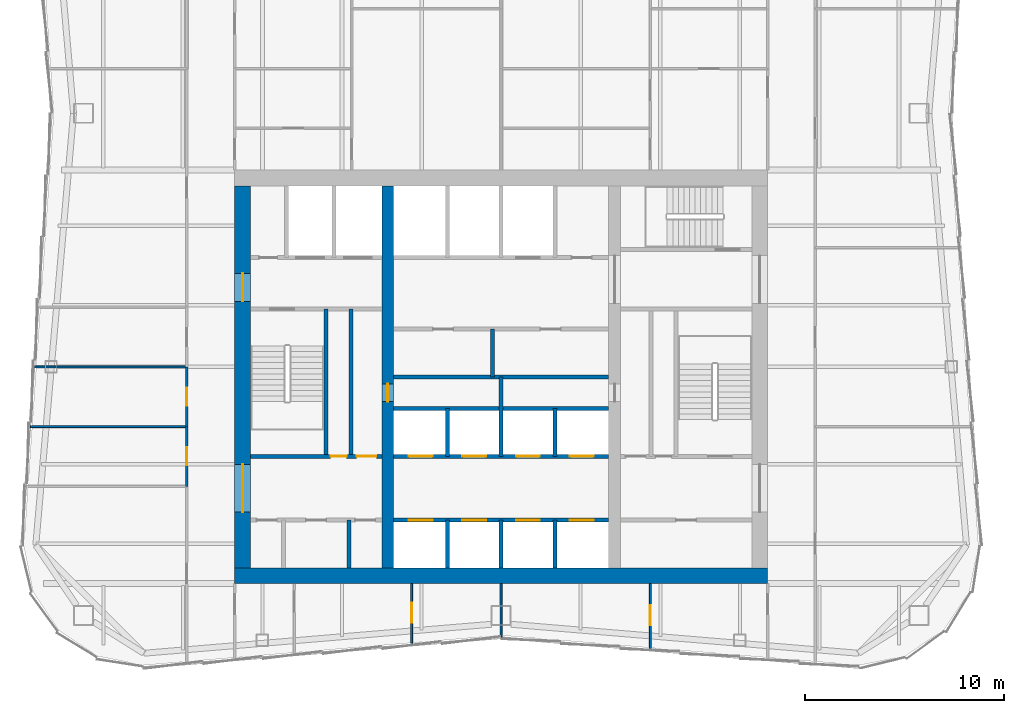
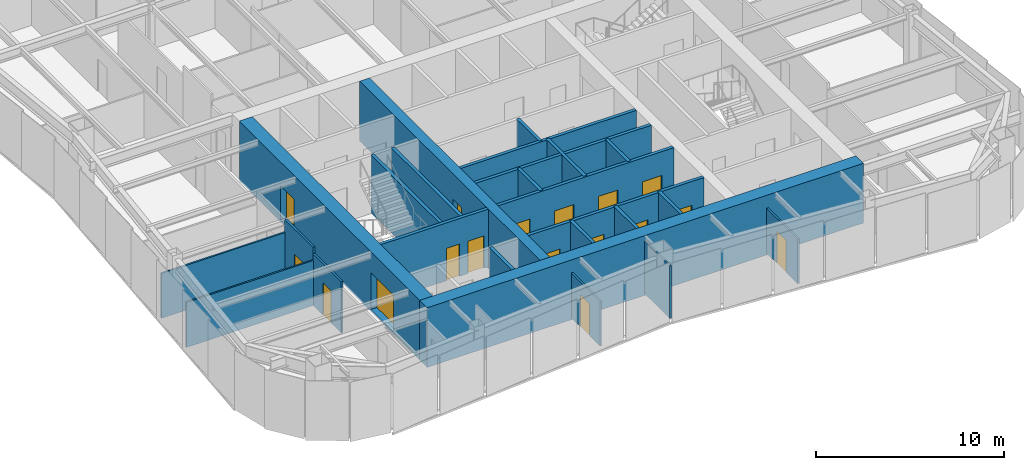
# One storey, part 6 of 12: 25 walls, 17 doors, 17 openings.
"""IFC4 building model written with IfcOpenShell, lengths in metres."""

from ifc_helpers import new_model, si_unit, direction, frame, frame_2d, origin, place, context, subcontext, project, spatial, rectangle, extrude, material, layer, layer_set, type_object, element, fill, save


model = new_model("IFC4")

# Units and contexts
model_context = context("Model", 3, precision=1e-05, world=origin(), true_north=direction((0.0, 1.0)))
body_context = subcontext(model_context, "Body", "Model", "MODEL_VIEW")
ifc_project = project(units=[si_unit("LENGTHUNIT", "METRE"), si_unit("AREAUNIT", "SQUARE_METRE"), si_unit("VOLUMEUNIT", "CUBIC_METRE"), si_unit("PLANEANGLEUNIT", "RADIAN"), si_unit("MASSUNIT", "GRAM", prefix="KILO")], contexts=[model_context])

# Site, building, storey
site_placement = place(None, origin())
site = spatial("IfcSite", under=ifc_project, at=site_placement, CompositionType="ELEMENT")
building_placement = place(site_placement, origin())
building = spatial("IfcBuilding", under=site, at=building_placement, Name="Verdant Reach Tower", CompositionType="ELEMENT")
storey_placement = place(building_placement, frame((0.0, 0.0, 278.0)))
storey = spatial("IfcBuildingStorey", under=building, at=storey_placement, Name="L64", CompositionType="ELEMENT", Elevation=278.0)

# Walls
ifc_material_1 = material(Name="Gypsum board on steel studs", Category="steel")
ifc_layer_1 = layer(ifc_material_1, 0.199951171875)
ifc_layer_set_1 = layer_set([ifc_layer_1], Name="CO-WALL-ROOM")
wall_type_1 = type_object("IfcWallType", Name="CO-WALL-ROOM", PredefinedType="PARTITIONING", material=ifc_layer_set_1)
wall_1_placement = place(storey_placement, frame((-5.39990234375, 28.0, 0.0), z_axis=(0.0, 0.0, 1.0), x_axis=(1.0, 0.0, 0.0)))
element("IfcWall", 1, at=wall_1_placement, inside=storey, type_object=wall_type_1, Name="Core partition, L64", PredefinedType="PARTITIONING", context=body_context, shape_type="SweptSolid", body=[
    extrude(rectangle(XDim=10.7998046875, YDim=0.199951171875, at=frame_2d((5.39990234375, 0.0))), origin(), (0.0, 0.0, 1.0), 3.75),
])
wall_2_placement = place(storey_placement, frame((-7.64990234375, 18.39990234375, 0.0), z_axis=(0.0, 0.0, 1.0), x_axis=(0.0, 1.0, 0.0)))
element("IfcWall", 2, at=wall_2_placement, inside=storey, type_object=wall_type_1, Name="Core partition, L64", PredefinedType="PARTITIONING", context=body_context, shape_type="SweptSolid", body=[
    extrude(rectangle(XDim=2.400146484375, YDim=0.199951171875, at=frame_2d((1.2001953125, 0.0))), origin(), (0.0, 0.0, 1.0), 3.75),
])
wall_3_placement = place(storey_placement, frame((-7.5400390625, 24.0, 0.0), z_axis=(0.0, 0.0, 1.0), x_axis=(0.0, 1.0, 0.0)))
element("IfcWall", 3, at=wall_3_placement, inside=storey, type_object=wall_type_1, Name="Core partition, L64", PredefinedType="PARTITIONING", context=body_context, shape_type="SweptSolid", body=[
    extrude(rectangle(XDim=7.39990234375, YDim=0.199951171875, at=frame_2d((3.699951171875, 0.0))), origin(), (0.0, 0.0, 1.0), 3.75),
])
wall_4_placement = place(storey_placement, frame((-0.431884765625, 28.0, 0.0), z_axis=(0.0, 0.0, 1.0), x_axis=(0.0, 1.0, 0.0)))
element("IfcWall", 4, at=wall_4_placement, inside=storey, type_object=wall_type_1, Name="Core partition, L64", PredefinedType="PARTITIONING", context=body_context, shape_type="SweptSolid", body=[
    extrude(rectangle(XDim=2.39990234375, YDim=0.199951171875, at=frame_2d((1.199951171875, 0.0))), origin(), (0.0, 0.0, 1.0), 3.75),
])

# Wall, openings, doors
ifc_material_2 = material(Name="Concrete C40/50", Category="concrete")
ifc_layer_2 = layer(ifc_material_2, 0.199951171875)
ifc_layer_set_2 = layer_set([ifc_layer_2], Name="CO-WALL-SHAFT")
wall_type_2 = type_object("IfcWallType", Name="CO-WALL-SHAFT", PredefinedType="PARTITIONING", material=ifc_layer_set_2)
wall_5_placement = place(storey_placement, frame((-5.39990234375, 20.800048828125, 0.0), z_axis=(0.0, 0.0, 1.0), x_axis=(1.0, 0.0, 0.0)))
wall_5 = element("IfcWall", 5, at=wall_5_placement, inside=storey, type_object=wall_type_2, Name="Lift shaft wall, L64", PredefinedType="PARTITIONING", context=body_context, shape_type="SweptSolid", body=[
    extrude(rectangle(XDim=10.7998046875, YDim=0.199951171875, at=frame_2d((5.39990234375, 0.0))), origin(), (0.0, 0.0, 1.0), 3.75),
])
opening_1_placement = place(wall_5_placement, frame((0.75, 0.0, 0.0)))
opening_1 = element("IfcOpeningElement", 6, at=opening_1_placement, cuts=wall_5, Name="Opening LD-B1", PredefinedType="OPENING", context=body_context, shape_type="SweptSolid", body=[
    extrude(rectangle(XDim=1.199951171875, YDim=2.199951171875, at=frame_2d((0.60009765625, 1.10009765625))), frame((0.0, 0.10986328125, 0.0), z_axis=(0.0, -1.0, 0.0), x_axis=(1.0, 0.0, 0.0)), (0.0, 0.0, 1.0), 0.219970703125),
])
opening_2_placement = place(wall_5_placement, frame((3.449951171875, 0.0, 0.0)))
opening_2 = element("IfcOpeningElement", 7, at=opening_2_placement, cuts=wall_5, Name="Opening LD-B2", PredefinedType="OPENING", context=body_context, shape_type="SweptSolid", body=[
    extrude(rectangle(XDim=1.199951171875, YDim=2.199951171875, at=frame_2d((0.60009765625, 1.10009765625))), frame((0.0, 0.10986328125, 0.0), z_axis=(0.0, -1.0, 0.0), x_axis=(1.0, 0.0, 0.0)), (0.0, 0.0, 1.0), 0.219970703125),
])
opening_3_placement = place(wall_5_placement, frame((6.14990234375, 0.0, 0.0)))
opening_3 = element("IfcOpeningElement", 8, at=opening_3_placement, cuts=wall_5, Name="Opening LD-B3", PredefinedType="OPENING", context=body_context, shape_type="SweptSolid", body=[
    extrude(rectangle(XDim=1.199951171875, YDim=2.199951171875, at=frame_2d((0.60009765625, 1.10009765625))), frame((0.0, 0.10986328125, 0.0), z_axis=(0.0, -1.0, 0.0), x_axis=(1.0, 0.0, 0.0)), (0.0, 0.0, 1.0), 0.219970703125),
])
opening_4_placement = place(wall_5_placement, frame((8.85009765625, 0.0, 0.0)))
opening_4 = element("IfcOpeningElement", 9, at=opening_4_placement, cuts=wall_5, Name="Opening LD-B4", PredefinedType="OPENING", context=body_context, shape_type="SweptSolid", body=[
    extrude(rectangle(XDim=1.199951171875, YDim=2.199951171875, at=frame_2d((0.60009765625, 1.10009765625))), frame((0.0, 0.10986328125, 0.0), z_axis=(0.0, -1.0, 0.0), x_axis=(1.0, 0.0, 0.0)), (0.0, 0.0, 1.0), 0.219970703125),
])
ifc_material_3 = material(Name="Stainless steel", Category="steel")
door_type_1 = type_object("IfcDoorType", Name="CO-DOOR-LANDING", OperationType="SLIDING_TO_LEFT", PredefinedType="DOOR", material=ifc_material_3)
door_1_placement = place(opening_1_placement, origin())
door_1 = element("IfcDoor", 10, at=door_1_placement, inside=storey, type_object=door_type_1, Name="Landing door B1, L64", OperationType="SLIDING_TO_LEFT", OverallHeight=2.199951171875, OverallWidth=1.199951171875, PredefinedType="DOOR", context=body_context, shape_type="SweptSolid", body=[
    extrude(rectangle(XDim=1.199951171875, YDim=2.199951171875, at=frame_2d((0.60009765625, 1.10009765625))), frame((0.0, 0.02490234375, 0.0), z_axis=(0.0, -1.0, 0.0), x_axis=(1.0, 0.0, 0.0)), (0.0, 0.0, 1.0), 0.050048828125),
])
fill(opening_1, door_1)
door_2_placement = place(opening_2_placement, origin())
door_2 = element("IfcDoor", 11, at=door_2_placement, inside=storey, type_object=door_type_1, Name="Landing door B2, L64", OperationType="SLIDING_TO_LEFT", OverallHeight=2.199951171875, OverallWidth=1.199951171875, PredefinedType="DOOR", context=body_context, shape_type="SweptSolid", body=[
    extrude(rectangle(XDim=1.199951171875, YDim=2.199951171875, at=frame_2d((0.60009765625, 1.10009765625))), frame((0.0, 0.02490234375, 0.0), z_axis=(0.0, -1.0, 0.0), x_axis=(1.0, 0.0, 0.0)), (0.0, 0.0, 1.0), 0.050048828125),
])
fill(opening_2, door_2)
door_3_placement = place(opening_3_placement, origin())
door_3 = element("IfcDoor", 12, at=door_3_placement, inside=storey, type_object=door_type_1, Name="Landing door B3, L64", OperationType="SLIDING_TO_LEFT", OverallHeight=2.199951171875, OverallWidth=1.199951171875, PredefinedType="DOOR", context=body_context, shape_type="SweptSolid", body=[
    extrude(rectangle(XDim=1.199951171875, YDim=2.199951171875, at=frame_2d((0.60009765625, 1.10009765625))), frame((0.0, 0.02490234375, 0.0), z_axis=(0.0, -1.0, 0.0), x_axis=(1.0, 0.0, 0.0)), (0.0, 0.0, 1.0), 0.050048828125),
])
fill(opening_3, door_3)
door_4_placement = place(opening_4_placement, origin())
door_4 = element("IfcDoor", 13, at=door_4_placement, inside=storey, type_object=door_type_1, Name="Landing door B4, L64", OperationType="SLIDING_TO_LEFT", OverallHeight=2.199951171875, OverallWidth=1.199951171875, PredefinedType="DOOR", context=body_context, shape_type="SweptSolid", body=[
    extrude(rectangle(XDim=1.199951171875, YDim=2.199951171875, at=frame_2d((0.60009765625, 1.10009765625))), frame((0.0, 0.02490234375, 0.0), z_axis=(0.0, -1.0, 0.0), x_axis=(1.0, 0.0, 0.0)), (0.0, 0.0, 1.0), 0.050048828125),
])
fill(opening_4, door_4)

wall_6_placement = place(storey_placement, frame((-5.39990234375, 24.0, 0.0), z_axis=(0.0, 0.0, 1.0), x_axis=(1.0, 0.0, 0.0)))
wall_6 = element("IfcWall", 14, at=wall_6_placement, inside=storey, type_object=wall_type_2, Name="Lift shaft wall, L64", PredefinedType="PARTITIONING", context=body_context, shape_type="SweptSolid", body=[
    extrude(rectangle(XDim=10.7998046875, YDim=0.199951171875, at=frame_2d((5.39990234375, 0.0))), origin(), (0.0, 0.0, 1.0), 3.75),
])
opening_5_placement = place(wall_6_placement, frame((0.75, 0.0, 0.0)))
opening_5 = element("IfcOpeningElement", 15, at=opening_5_placement, cuts=wall_6, Name="Opening LD-A5", PredefinedType="OPENING", context=body_context, shape_type="SweptSolid", body=[
    extrude(rectangle(XDim=1.199951171875, YDim=2.199951171875, at=frame_2d((0.60009765625, 1.10009765625))), frame((0.0, 0.10986328125, 0.0), z_axis=(0.0, -1.0, 0.0), x_axis=(1.0, 0.0, 0.0)), (0.0, 0.0, 1.0), 0.219970703125),
])
opening_6_placement = place(wall_6_placement, frame((3.449951171875, 0.0, 0.0)))
opening_6 = element("IfcOpeningElement", 16, at=opening_6_placement, cuts=wall_6, Name="Opening LD-A6", PredefinedType="OPENING", context=body_context, shape_type="SweptSolid", body=[
    extrude(rectangle(XDim=1.199951171875, YDim=2.199951171875, at=frame_2d((0.60009765625, 1.10009765625))), frame((0.0, 0.10986328125, 0.0), z_axis=(0.0, -1.0, 0.0), x_axis=(1.0, 0.0, 0.0)), (0.0, 0.0, 1.0), 0.219970703125),
])
opening_7_placement = place(wall_6_placement, frame((6.14990234375, 0.0, 0.0)))
opening_7 = element("IfcOpeningElement", 17, at=opening_7_placement, cuts=wall_6, Name="Opening LD-A7", PredefinedType="OPENING", context=body_context, shape_type="SweptSolid", body=[
    extrude(rectangle(XDim=1.199951171875, YDim=2.199951171875, at=frame_2d((0.60009765625, 1.10009765625))), frame((0.0, 0.10986328125, 0.0), z_axis=(0.0, -1.0, 0.0), x_axis=(1.0, 0.0, 0.0)), (0.0, 0.0, 1.0), 0.219970703125),
])
opening_8_placement = place(wall_6_placement, frame((8.85009765625, 0.0, 0.0)))
opening_8 = element("IfcOpeningElement", 18, at=opening_8_placement, cuts=wall_6, Name="Opening LD-A8", PredefinedType="OPENING", context=body_context, shape_type="SweptSolid", body=[
    extrude(rectangle(XDim=1.199951171875, YDim=2.199951171875, at=frame_2d((0.60009765625, 1.10009765625))), frame((0.0, 0.10986328125, 0.0), z_axis=(0.0, -1.0, 0.0), x_axis=(1.0, 0.0, 0.0)), (0.0, 0.0, 1.0), 0.219970703125),
])
door_5_placement = place(opening_5_placement, origin())
door_5 = element("IfcDoor", 19, at=door_5_placement, inside=storey, type_object=door_type_1, Name="Landing door A5, L64", OperationType="SLIDING_TO_LEFT", OverallHeight=2.199951171875, OverallWidth=1.199951171875, PredefinedType="DOOR", context=body_context, shape_type="SweptSolid", body=[
    extrude(rectangle(XDim=1.199951171875, YDim=2.199951171875, at=frame_2d((0.60009765625, 1.10009765625))), frame((0.0, 0.02490234375, 0.0), z_axis=(0.0, -1.0, 0.0), x_axis=(1.0, 0.0, 0.0)), (0.0, 0.0, 1.0), 0.050048828125),
])
fill(opening_5, door_5)
door_6_placement = place(opening_6_placement, origin())
door_6 = element("IfcDoor", 20, at=door_6_placement, inside=storey, type_object=door_type_1, Name="Landing door A6, L64", OperationType="SLIDING_TO_LEFT", OverallHeight=2.199951171875, OverallWidth=1.199951171875, PredefinedType="DOOR", context=body_context, shape_type="SweptSolid", body=[
    extrude(rectangle(XDim=1.199951171875, YDim=2.199951171875, at=frame_2d((0.60009765625, 1.10009765625))), frame((0.0, 0.02490234375, 0.0), z_axis=(0.0, -1.0, 0.0), x_axis=(1.0, 0.0, 0.0)), (0.0, 0.0, 1.0), 0.050048828125),
])
fill(opening_6, door_6)
door_7_placement = place(opening_7_placement, origin())
door_7 = element("IfcDoor", 21, at=door_7_placement, inside=storey, type_object=door_type_1, Name="Landing door A7, L64", OperationType="SLIDING_TO_LEFT", OverallHeight=2.199951171875, OverallWidth=1.199951171875, PredefinedType="DOOR", context=body_context, shape_type="SweptSolid", body=[
    extrude(rectangle(XDim=1.199951171875, YDim=2.199951171875, at=frame_2d((0.60009765625, 1.10009765625))), frame((0.0, 0.02490234375, 0.0), z_axis=(0.0, -1.0, 0.0), x_axis=(1.0, 0.0, 0.0)), (0.0, 0.0, 1.0), 0.050048828125),
])
fill(opening_7, door_7)
door_8_placement = place(opening_8_placement, origin())
door_8 = element("IfcDoor", 22, at=door_8_placement, inside=storey, type_object=door_type_1, Name="Landing door A8, L64", OperationType="SLIDING_TO_LEFT", OverallHeight=2.199951171875, OverallWidth=1.199951171875, PredefinedType="DOOR", context=body_context, shape_type="SweptSolid", body=[
    extrude(rectangle(XDim=1.199951171875, YDim=2.199951171875, at=frame_2d((0.60009765625, 1.10009765625))), frame((0.0, 0.02490234375, 0.0), z_axis=(0.0, -1.0, 0.0), x_axis=(1.0, 0.0, 0.0)), (0.0, 0.0, 1.0), 0.050048828125),
])
fill(opening_8, door_8)

# Walls
wall_7_placement = place(storey_placement, frame((-5.39990234375, 26.39990234375, 0.0), z_axis=(0.0, 0.0, 1.0), x_axis=(1.0, 0.0, 0.0)))
element("IfcWall", 23, at=wall_7_placement, inside=storey, type_object=wall_type_2, Name="Lift shaft wall, L64", PredefinedType="PARTITIONING", context=body_context, shape_type="SweptSolid", body=[
    extrude(rectangle(XDim=10.7998046875, YDim=0.199951171875, at=frame_2d((5.39990234375, 0.0))), origin(), (0.0, 0.0, 1.0), 3.75),
])
wall_8_placement = place(storey_placement, frame((-2.699951171875, 18.39990234375, 0.0), z_axis=(0.0, 0.0, 1.0), x_axis=(0.0, 1.0, 0.0)))
element("IfcWall", 24, at=wall_8_placement, inside=storey, type_object=wall_type_2, Name="Lift shaft wall, L64", PredefinedType="PARTITIONING", context=body_context, shape_type="SweptSolid", body=[
    extrude(rectangle(XDim=2.400146484375, YDim=0.199951171875, at=frame_2d((1.2001953125, 0.0))), origin(), (0.0, 0.0, 1.0), 3.75),
])
wall_9_placement = place(storey_placement, frame((-2.699951171875, 24.0, 0.0), z_axis=(0.0, 0.0, 1.0), x_axis=(0.0, 1.0, 0.0)))
element("IfcWall", 25, at=wall_9_placement, inside=storey, type_object=wall_type_2, Name="Lift shaft wall, L64", PredefinedType="PARTITIONING", context=body_context, shape_type="SweptSolid", body=[
    extrude(rectangle(XDim=2.39990234375, YDim=0.199951171875, at=frame_2d((1.199951171875, 0.0))), origin(), (0.0, 0.0, 1.0), 3.75),
])
wall_10_placement = place(storey_placement, frame((0.0, 18.39990234375, 0.0), z_axis=(0.0, 0.0, 1.0), x_axis=(0.0, 1.0, 0.0)))
element("IfcWall", 26, at=wall_10_placement, inside=storey, type_object=wall_type_2, Name="Lift shaft wall, L64", PredefinedType="PARTITIONING", context=body_context, shape_type="SweptSolid", body=[
    extrude(rectangle(XDim=2.400146484375, YDim=0.199951171875, at=frame_2d((1.2001953125, 0.0))), origin(), (0.0, 0.0, 1.0), 3.75),
])
wall_11_placement = place(storey_placement, frame((0.0, 24.0, 0.0), z_axis=(0.0, 0.0, 1.0), x_axis=(0.0, 1.0, 0.0)))
element("IfcWall", 27, at=wall_11_placement, inside=storey, type_object=wall_type_2, Name="Lift shaft wall, L64", PredefinedType="PARTITIONING", context=body_context, shape_type="SweptSolid", body=[
    extrude(rectangle(XDim=4.0, YDim=0.199951171875, at=frame_2d((2.0, 0.0))), origin(), (0.0, 0.0, 1.0), 3.75),
])
wall_12_placement = place(storey_placement, frame((2.699951171875, 18.39990234375, 0.0), z_axis=(0.0, 0.0, 1.0), x_axis=(0.0, 1.0, 0.0)))
element("IfcWall", 28, at=wall_12_placement, inside=storey, type_object=wall_type_2, Name="Lift shaft wall, L64", PredefinedType="PARTITIONING", context=body_context, shape_type="SweptSolid", body=[
    extrude(rectangle(XDim=2.400146484375, YDim=0.199951171875, at=frame_2d((1.2001953125, 0.0))), origin(), (0.0, 0.0, 1.0), 3.75),
])
wall_13_placement = place(storey_placement, frame((2.699951171875, 24.0, 0.0), z_axis=(0.0, 0.0, 1.0), x_axis=(0.0, 1.0, 0.0)))
element("IfcWall", 29, at=wall_13_placement, inside=storey, type_object=wall_type_2, Name="Lift shaft wall, L64", PredefinedType="PARTITIONING", context=body_context, shape_type="SweptSolid", body=[
    extrude(rectangle(XDim=2.39990234375, YDim=0.199951171875, at=frame_2d((1.199951171875, 0.0))), origin(), (0.0, 0.0, 1.0), 3.75),
])

# Wall, openings, doors
ifc_layer_3 = layer(ifc_material_2, 0.199951171875)
ifc_layer_set_3 = layer_set([ifc_layer_3], Name="CO-WALL-STAIR")
wall_type_3 = type_object("IfcWallType", Name="CO-WALL-STAIR", PredefinedType="PARTITIONING", material=ifc_layer_set_3)
wall_14_placement = place(storey_placement, frame((-12.60009765625, 24.0, 0.0), z_axis=(0.0, 0.0, 1.0), x_axis=(1.0, 0.0, 0.0)))
wall_14 = element("IfcWall", 30, at=wall_14_placement, inside=storey, type_object=wall_type_3, Name="Stair enclosure wall, L64", PredefinedType="PARTITIONING", context=body_context, shape_type="SweptSolid", body=[
    extrude(rectangle(XDim=6.60009765625, YDim=0.199951171875, at=frame_2d((3.300048828125, 0.0))), origin(), (0.0, 0.0, 1.0), 3.75),
])
opening_9_placement = place(wall_14_placement, frame((4.030029296875, 0.0, 0.0)))
opening_9 = element("IfcOpeningElement", 31, at=opening_9_placement, cuts=wall_14, Name="Opening CDN", PredefinedType="OPENING", context=body_context, shape_type="SweptSolid", body=[
    extrude(rectangle(XDim=0.800048828125, YDim=2.10009765625, at=frame_2d((0.39990234375, 1.050048828125))), frame((0.0, 0.10986328125, 0.0), z_axis=(0.0, -1.0, 0.0), x_axis=(1.0, 0.0, 0.0)), (0.0, 0.0, 1.0), 0.219970703125),
])
opening_10_placement = place(wall_14_placement, frame((5.330078125, 0.0, 0.0)))
opening_10 = element("IfcOpeningElement", 32, at=opening_10_placement, cuts=wall_14, Name="Opening CD", PredefinedType="OPENING", context=body_context, shape_type="SweptSolid", body=[
    extrude(rectangle(XDim=1.0, YDim=2.10009765625, at=frame_2d((0.5, 1.050048828125))), frame((0.0, 0.10986328125, 0.0), z_axis=(0.0, -1.0, 0.0), x_axis=(1.0, 0.0, 0.0)), (0.0, 0.0, 1.0), 0.219970703125),
])
ifc_material_4 = material(Name="Timber", Category="wood")
door_type_2 = type_object("IfcDoorType", Name="CO-DOOR-ROOM", OperationType="NOTDEFINED", PredefinedType="DOOR", material=ifc_material_4)
door_9_placement = place(opening_10_placement, origin())
door_9 = element("IfcDoor", 33, at=door_9_placement, inside=storey, type_object=door_type_2, Name="Core room door, L64", OperationType="SINGLE_SWING_LEFT", OverallHeight=2.10009765625, OverallWidth=1.0, PredefinedType="DOOR", context=body_context, shape_type="SweptSolid", body=[
    extrude(rectangle(XDim=1.0, YDim=2.10009765625, at=frame_2d((0.5, 1.050048828125))), frame((0.0, 0.02490234375, 0.0), z_axis=(0.0, -1.0, 0.0), x_axis=(1.0, 0.0, 0.0)), (0.0, 0.0, 1.0), 0.050048828125),
])
fill(opening_10, door_9)
door_type_3 = type_object("IfcDoorType", Name="CO-DOOR-ROOM-NARROW", OperationType="NOTDEFINED", PredefinedType="DOOR", material=ifc_material_4)
door_10_placement = place(opening_9_placement, origin())
door_10 = element("IfcDoor", 34, at=door_10_placement, inside=storey, type_object=door_type_3, Name="Core room door, L64", OperationType="SINGLE_SWING_RIGHT", OverallHeight=2.10009765625, OverallWidth=0.800048828125, PredefinedType="DOOR", context=body_context, shape_type="SweptSolid", body=[
    extrude(rectangle(XDim=0.800048828125, YDim=2.10009765625, at=frame_2d((0.39990234375, 1.050048828125))), frame((0.0, 0.02490234375, 0.0), z_axis=(0.0, -1.0, 0.0), x_axis=(1.0, 0.0, 0.0)), (0.0, 0.0, 1.0), 0.050048828125),
])
fill(opening_9, door_10)

# Walls
wall_15_placement = place(storey_placement, frame((-8.800048828125, 24.0, 0.0), z_axis=(0.0, 0.0, 1.0), x_axis=(0.0, 1.0, 0.0)))
element("IfcWall", 35, at=wall_15_placement, inside=storey, type_object=wall_type_3, Name="Stair enclosure wall, L64", PredefinedType="PARTITIONING", context=body_context, shape_type="SweptSolid", body=[
    extrude(rectangle(XDim=7.39990234375, YDim=0.199951171875, at=frame_2d((3.699951171875, 0.0))), origin(), (0.0, 0.0, 1.0), 3.75),
])
ifc_layer_4 = layer(ifc_material_1, 0.10009765625)
ifc_layer_set_4 = layer_set([ifc_layer_4], Name="FL-W1 Partition 100")
wall_type_4 = type_object("IfcWallType", Name="FL-W1 Partition 100", PredefinedType="PARTITIONING", material=ifc_layer_set_4)
wall_16_placement = place(storey_placement, frame((-15.800048828125, 25.5, 0.0), z_axis=(0.0, 0.0, 1.0), x_axis=(-1.0, 0.0, 0.0)))
element("IfcWall", 36, at=wall_16_placement, inside=storey, type_object=wall_type_4, Name="Partition 64.34", PredefinedType="PARTITIONING", context=body_context, shape_type="SweptSolid", body=[
    extrude(rectangle(XDim=7.8662109375, YDim=0.10009765625, at=frame_2d((3.93310546875, 0.0))), origin(), (0.0, 0.0, 1.0), 2.919921875),
])
wall_17_placement = place(storey_placement, frame((-15.800048828125, 28.5, 0.0), z_axis=(0.0, 0.0, 1.0), x_axis=(-1.0, 0.0, 0.0)))
element("IfcWall", 37, at=wall_17_placement, inside=storey, type_object=wall_type_4, Name="Partition 64.35", PredefinedType="PARTITIONING", context=body_context, shape_type="SweptSolid", body=[
    extrude(rectangle(XDim=7.6591796875, YDim=0.10009765625, at=frame_2d((3.82958984375, 0.0))), origin(), (0.0, 0.0, 1.0), 2.919921875),
])

# Wall, opening, door
wall_18_placement = place(storey_placement, frame((-4.5, 17.60009765625, 0.0), z_axis=(0.0, 0.0, 1.0), x_axis=(0.0, -1.0, 0.0)))
wall_18 = element("IfcWall", 38, at=wall_18_placement, inside=storey, type_object=wall_type_4, Name="Partition 64.44", PredefinedType="PARTITIONING", context=body_context, shape_type="SweptSolid", body=[
    extrude(rectangle(XDim=3.05517578125, YDim=0.10009765625, at=frame_2d((1.527587890625, 0.0))), origin(), (0.0, 0.0, 1.0), 2.919921875),
])
opening_11_placement = place(wall_18_placement, frame((0.96240234375, 0.0, 0.0)))
opening_11 = element("IfcOpeningElement", 39, at=opening_11_placement, cuts=wall_18, Name="Opening D3", PredefinedType="OPENING", context=body_context, shape_type="SweptSolid", body=[
    extrude(rectangle(XDim=1.0, YDim=2.10009765625, at=frame_2d((0.5, 1.050048828125))), frame((0.0, 0.06005859375, 0.0), z_axis=(0.0, -1.0, 0.0), x_axis=(1.0, 0.0, 0.0)), (0.0, 0.0, 1.0), 0.1201171875),
])
ifc_material_5 = material(Name="Painted timber door leaf", Category="wood")
door_type_4 = type_object("IfcDoorType", Name="FL-D3 Door 1000x2100", OperationType="NOTDEFINED", PredefinedType="DOOR", material=ifc_material_5)
door_11_placement = place(opening_11_placement, origin())
door_11 = element("IfcDoor", 40, at=door_11_placement, inside=storey, type_object=door_type_4, Name="Door 64-027", OperationType="SINGLE_SWING_LEFT", OverallHeight=2.10009765625, OverallWidth=1.0, PredefinedType="DOOR", context=body_context, shape_type="SweptSolid", body=[
    extrude(rectangle(XDim=1.0, YDim=2.10009765625, at=frame_2d((0.5, 1.050048828125))), frame((0.0, 0.02490234375, 0.0), z_axis=(0.0, -1.0, 0.0), x_axis=(1.0, 0.0, 0.0)), (0.0, 0.0, 1.0), 0.050048828125),
])
fill(opening_11, door_11)

# Wall
wall_19_placement = place(storey_placement, frame((0.0, 14.919921875, 0.0), z_axis=(0.0, 0.0, 1.0), x_axis=(0.0, 1.0, 0.0)))
element("IfcWall", 41, at=wall_19_placement, inside=storey, type_object=wall_type_4, Name="Partition 64.45", PredefinedType="PARTITIONING", context=body_context, shape_type="SweptSolid", body=[
    extrude(rectangle(XDim=2.68017578125, YDim=0.10009765625, at=frame_2d((1.340087890625, 0.0))), origin(), (0.0, 0.0, 1.0), 3.419921875),
])

# Wall, opening, door
wall_20_placement = place(storey_placement, frame((7.5, 14.294921875, 0.0), z_axis=(0.0, 0.0, 1.0), x_axis=(0.0, 1.0, 0.0)))
wall_20 = element("IfcWall", 42, at=wall_20_placement, inside=storey, type_object=wall_type_4, Name="Partition 64.46", PredefinedType="PARTITIONING", context=body_context, shape_type="SweptSolid", body=[
    extrude(rectangle(XDim=3.30517578125, YDim=0.10009765625, at=frame_2d((1.652587890625, 0.0))), origin(), (0.0, 0.0, 1.0), 2.919921875),
])
opening_12_placement = place(wall_20_placement, frame((1.217529296875, 0.0, 0.0)))
opening_12 = element("IfcOpeningElement", 43, at=opening_12_placement, cuts=wall_20, Name="Opening D3", PredefinedType="OPENING", context=body_context, shape_type="SweptSolid", body=[
    extrude(rectangle(XDim=1.0, YDim=2.10009765625, at=frame_2d((0.5, 1.050048828125))), frame((0.0, 0.06005859375, 0.0), z_axis=(0.0, -1.0, 0.0), x_axis=(1.0, 0.0, 0.0)), (0.0, 0.0, 1.0), 0.1201171875),
])
door_12_placement = place(opening_12_placement, origin())
door_12 = element("IfcDoor", 44, at=door_12_placement, inside=storey, type_object=door_type_4, Name="Door 64-028", OperationType="SINGLE_SWING_RIGHT", OverallHeight=2.10009765625, OverallWidth=1.0, PredefinedType="DOOR", context=body_context, shape_type="SweptSolid", body=[
    extrude(rectangle(XDim=1.0, YDim=2.10009765625, at=frame_2d((0.5, 1.050048828125))), frame((0.0, 0.02490234375, 0.0), z_axis=(0.0, -1.0, 0.0), x_axis=(1.0, 0.0, 0.0)), (0.0, 0.0, 1.0), 0.050048828125),
])
fill(opening_12, door_12)

ifc_material_6 = material(Name="Gypsum board on steel studs, fire rated", Category="steel")
ifc_layer_5 = layer(ifc_material_6, 0.125)
ifc_layer_set_5 = layer_set([ifc_layer_5], Name="FL-W2 Corridor wall 125")
wall_type_5 = type_object("IfcWallType", Name="FL-W2 Corridor wall 125", PredefinedType="PARTITIONING", material=ifc_layer_set_5)
wall_21_placement = place(storey_placement, frame((-15.800048828125, 22.5, 0.0), z_axis=(0.0, 0.0, 1.0), x_axis=(0.0, 1.0, 0.0)))
wall_21 = element("IfcWall", 45, at=wall_21_placement, inside=storey, type_object=wall_type_5, Name="Partition 64.02", PredefinedType="PARTITIONING", context=body_context, shape_type="SweptSolid", body=[
    extrude(rectangle(XDim=3.0, YDim=0.125, at=frame_2d((1.5, 0.0))), origin(), (0.0, 0.0, 1.0), 3.320068359375),
])
opening_13_placement = place(wall_21_placement, frame((1.050048828125, 0.0, 0.0)))
opening_13 = element("IfcOpeningElement", 46, at=opening_13_placement, cuts=wall_21, Name="Opening D1", PredefinedType="OPENING", context=body_context, shape_type="SweptSolid", body=[
    extrude(rectangle(XDim=0.89990234375, YDim=2.10009765625, at=frame_2d((0.449951171875, 1.050048828125))), frame((0.0, 0.072509765625, 0.0), z_axis=(0.0, -1.0, 0.0), x_axis=(1.0, 0.0, 0.0)), (0.0, 0.0, 1.0), 0.14501953125),
])
door_type_5 = type_object("IfcDoorType", Name="FL-D1 Door 900x2100", OperationType="NOTDEFINED", PredefinedType="DOOR", material=ifc_material_5)
door_13_placement = place(opening_13_placement, origin())
door_13 = element("IfcDoor", 47, at=door_13_placement, inside=storey, type_object=door_type_5, Name="Door 64-002", OperationType="SINGLE_SWING_RIGHT", OverallHeight=2.10009765625, OverallWidth=0.89990234375, PredefinedType="DOOR", context=body_context, shape_type="SweptSolid", body=[
    extrude(rectangle(XDim=0.89990234375, YDim=2.10009765625, at=frame_2d((0.449951171875, 1.050048828125))), frame((0.0, 0.02490234375, 0.0), z_axis=(0.0, -1.0, 0.0), x_axis=(1.0, 0.0, 0.0)), (0.0, 0.0, 1.0), 0.050048828125),
])
fill(opening_13, door_13)

wall_22_placement = place(storey_placement, frame((-15.800048828125, 25.5, 0.0), z_axis=(0.0, 0.0, 1.0), x_axis=(0.0, 1.0, 0.0)))
wall_22 = element("IfcWall", 48, at=wall_22_placement, inside=storey, type_object=wall_type_5, Name="Partition 64.03", PredefinedType="PARTITIONING", context=body_context, shape_type="SweptSolid", body=[
    extrude(rectangle(XDim=3.0, YDim=0.125, at=frame_2d((1.5, 0.0))), origin(), (0.0, 0.0, 1.0), 3.75),
])
opening_14_placement = place(wall_22_placement, frame((1.050048828125, 0.0, 0.0)))
opening_14 = element("IfcOpeningElement", 49, at=opening_14_placement, cuts=wall_22, Name="Opening D1", PredefinedType="OPENING", context=body_context, shape_type="SweptSolid", body=[
    extrude(rectangle(XDim=0.89990234375, YDim=2.10009765625, at=frame_2d((0.449951171875, 1.050048828125))), frame((0.0, 0.072509765625, 0.0), z_axis=(0.0, -1.0, 0.0), x_axis=(1.0, 0.0, 0.0)), (0.0, 0.0, 1.0), 0.14501953125),
])
door_14_placement = place(opening_14_placement, origin())
door_14 = element("IfcDoor", 50, at=door_14_placement, inside=storey, type_object=door_type_5, Name="Door 64-003", OperationType="SINGLE_SWING_LEFT", OverallHeight=2.10009765625, OverallWidth=0.89990234375, PredefinedType="DOOR", context=body_context, shape_type="SweptSolid", body=[
    extrude(rectangle(XDim=0.89990234375, YDim=2.10009765625, at=frame_2d((0.449951171875, 1.050048828125))), frame((0.0, 0.02490234375, 0.0), z_axis=(0.0, -1.0, 0.0), x_axis=(1.0, 0.0, 0.0)), (0.0, 0.0, 1.0), 0.050048828125),
])
fill(opening_14, door_14)

ifc_material_7 = material(Name="Concrete C70/85", Category="concrete")
ifc_layer_6 = layer(ifc_material_7, 0.60009765625)
ifc_layer_set_6 = layer_set([ifc_layer_6], Name="ST-CORE-WALL-600")
wall_type_6 = type_object("IfcWallType", Name="ST-CORE-WALL-600", PredefinedType="SHEAR", material=ifc_layer_set_6)
wall_23_placement = place(storey_placement, frame((-5.699951171875, 18.39990234375, -0.1298828125), z_axis=(0.0, 0.0, 1.0), x_axis=(0.0, 1.0, 0.0)))
wall_23 = element("IfcWall", 51, at=wall_23_placement, inside=storey, type_object=wall_type_6, Name="Core wall XW, L64", PredefinedType="SHEAR", context=body_context, shape_type="SweptSolid", body=[
    extrude(rectangle(XDim=19.2001953125, YDim=0.60009765625, at=frame_2d((9.60009765625, 0.0))), origin(), (0.0, 0.0, 1.0), 3.8798828125),
])
opening_15_placement = place(wall_23_placement, frame((8.35009765625, 0.0, 0.1298828125)))
opening_15 = element("IfcOpeningElement", 52, at=opening_15_placement, cuts=wall_23, Name="Opening RD", PredefinedType="OPENING", context=body_context, shape_type="SweptSolid", body=[
    extrude(rectangle(XDim=0.89990234375, YDim=2.10009765625, at=frame_2d((0.449951171875, 1.050048828125))), frame((0.0, 0.31005859375, 0.0), z_axis=(0.0, -1.0, 0.0), x_axis=(1.0, 0.0, 0.0)), (0.0, 0.0, 1.0), 0.6201171875),
])
ifc_material_8 = material(Name="Steel", Category="steel")
door_type_6 = type_object("IfcDoorType", Name="CO-DOOR-RISER", OperationType="NOTDEFINED", PredefinedType="DOOR", material=ifc_material_8)
door_15_placement = place(opening_15_placement, origin())
door_15 = element("IfcDoor", 53, at=door_15_placement, inside=storey, type_object=door_type_6, Name="Riser door, L64", OperationType="SINGLE_SWING_RIGHT", OverallHeight=2.10009765625, OverallWidth=0.89990234375, PredefinedType="DOOR", context=body_context, shape_type="SweptSolid", body=[
    extrude(rectangle(XDim=0.89990234375, YDim=2.10009765625, at=frame_2d((0.449951171875, 1.050048828125))), frame((0.0, 0.02490234375, 0.0), z_axis=(0.0, -1.0, 0.0), x_axis=(1.0, 0.0, 0.0)), (0.0, 0.0, 1.0), 0.050048828125),
])
fill(opening_15, door_15)

# Wall
ifc_layer_7 = layer(ifc_material_7, 0.800048828125)
ifc_layer_set_7 = layer_set([ifc_layer_7], Name="ST-CORE-WALL-800")
wall_type_7 = type_object("IfcWallType", Name="ST-CORE-WALL-800", PredefinedType="SHEAR", material=ifc_layer_set_7)
wall_24_placement = place(storey_placement, frame((-13.39990234375, 18.0, -0.1298828125), z_axis=(0.0, 0.0, 1.0), x_axis=(1.0, 0.0, 0.0)))
element("IfcWall", 54, at=wall_24_placement, inside=storey, type_object=wall_type_7, Name="Core wall S, L64", PredefinedType="SHEAR", context=body_context, shape_type="SweptSolid", body=[
    extrude(rectangle(XDim=26.7998046875, YDim=0.800048828125, at=frame_2d((13.39990234375, 0.0))), origin(), (0.0, 0.0, 1.0), 3.8798828125),
])

# Wall, openings, doors
wall_25_placement = place(storey_placement, frame((-13.0, 18.39990234375, -0.1298828125), z_axis=(0.0, 0.0, 1.0), x_axis=(0.0, 1.0, 0.0)))
wall_25 = element("IfcWall", 55, at=wall_25_placement, inside=storey, type_object=wall_type_7, Name="Core wall W, L64", PredefinedType="SHEAR", context=body_context, shape_type="SweptSolid", body=[
    extrude(rectangle(XDim=19.2001953125, YDim=0.800048828125, at=frame_2d((9.60009765625, 0.0))), origin(), (0.0, 0.0, 1.0), 3.8798828125),
])
opening_16_placement = place(wall_25_placement, frame((2.800048828125, 0.0, 0.1298828125)))
opening_16 = element("IfcOpeningElement", 56, at=opening_16_placement, cuts=wall_25, Name="Opening LB", PredefinedType="OPENING", context=body_context, shape_type="SweptSolid", body=[
    extrude(rectangle(XDim=2.39990234375, YDim=2.39990234375, at=frame_2d((1.199951171875, 1.199951171875))), frame((0.0, 0.409912109375, 0.0), z_axis=(0.0, -1.0, 0.0), x_axis=(1.0, 0.0, 0.0)), (0.0, 0.0, 1.0), 0.820068359375),
])
opening_17_placement = place(wall_25_placement, frame((13.39990234375, 0.0, 0.1298828125)))
opening_17 = element("IfcOpeningElement", 57, at=opening_17_placement, cuts=wall_25, Name="Opening FL", PredefinedType="OPENING", context=body_context, shape_type="SweptSolid", body=[
    extrude(rectangle(XDim=1.39990234375, YDim=2.199951171875, at=frame_2d((0.699951171875, 1.10009765625))), frame((0.0, 0.409912109375, 0.0), z_axis=(0.0, -1.0, 0.0), x_axis=(1.0, 0.0, 0.0)), (0.0, 0.0, 1.0), 0.820068359375),
])
door_type_7 = type_object("IfcDoorType", Name="CO-DOOR-FFL", OperationType="NOTDEFINED", PredefinedType="DOOR", material=ifc_material_8)
door_16_placement = place(opening_17_placement, origin())
door_16 = element("IfcDoor", 58, at=door_16_placement, inside=storey, type_object=door_type_7, Name="Core entrance door, L64", OperationType="SINGLE_SWING_LEFT", OverallHeight=2.199951171875, OverallWidth=1.39990234375, PredefinedType="DOOR", context=body_context, shape_type="SweptSolid", body=[
    extrude(rectangle(XDim=1.39990234375, YDim=2.199951171875, at=frame_2d((0.699951171875, 1.10009765625))), frame((0.0, 0.02490234375, 0.0), z_axis=(0.0, -1.0, 0.0), x_axis=(1.0, 0.0, 0.0)), (0.0, 0.0, 1.0), 0.050048828125),
])
fill(opening_17, door_16)
ifc_material_9 = material(Name="Glass and steel", Category="steel")
door_type_8 = type_object("IfcDoorType", Name="CO-DOOR-LOBBY", OperationType="DOUBLE_DOOR_SINGLE_SWING", PredefinedType="DOOR", material=ifc_material_9)
door_17_placement = place(opening_16_placement, origin())
door_17 = element("IfcDoor", 59, at=door_17_placement, inside=storey, type_object=door_type_8, Name="Core entrance door, L64", OperationType="DOUBLE_DOOR_SINGLE_SWING", OverallHeight=2.39990234375, OverallWidth=2.39990234375, PredefinedType="DOOR", context=body_context, shape_type="SweptSolid", body=[
    extrude(rectangle(XDim=2.39990234375, YDim=2.39990234375, at=frame_2d((1.199951171875, 1.199951171875))), frame((0.0, 0.02490234375, 0.0), z_axis=(0.0, -1.0, 0.0), x_axis=(1.0, 0.0, 0.0)), (0.0, 0.0, 1.0), 0.050048828125),
])
fill(opening_16, door_17)

save(model, "model.ifc")
